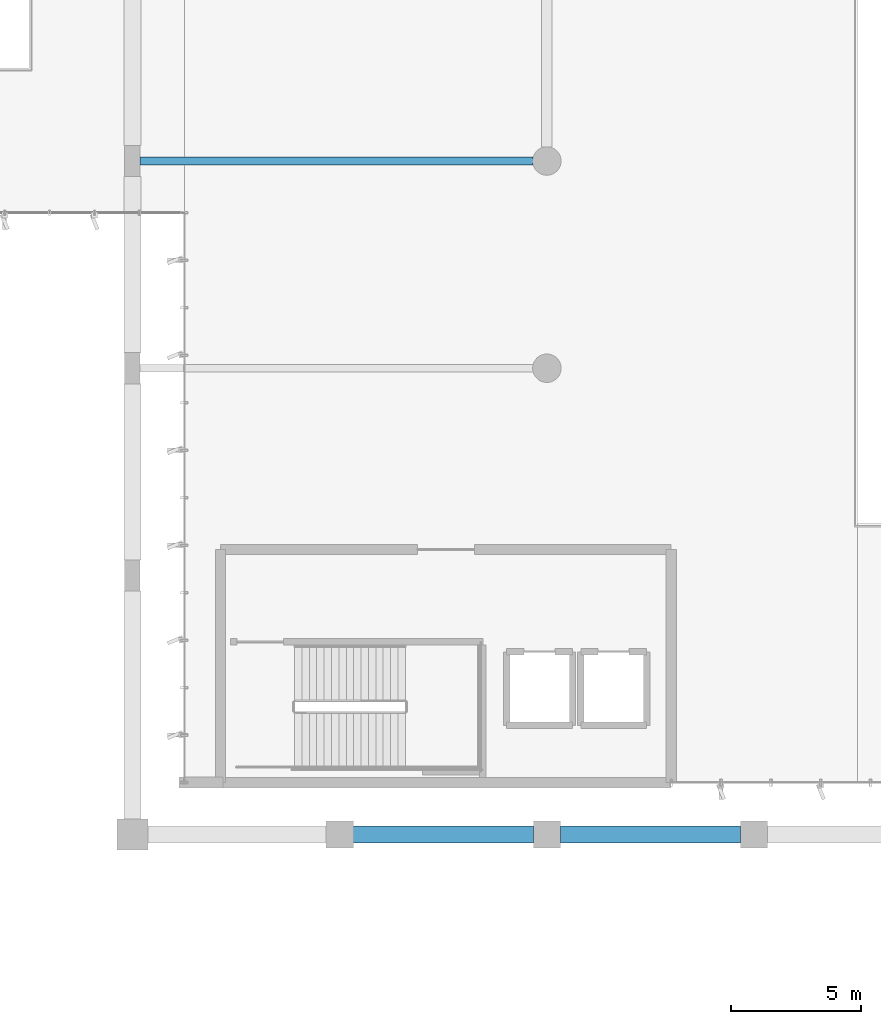
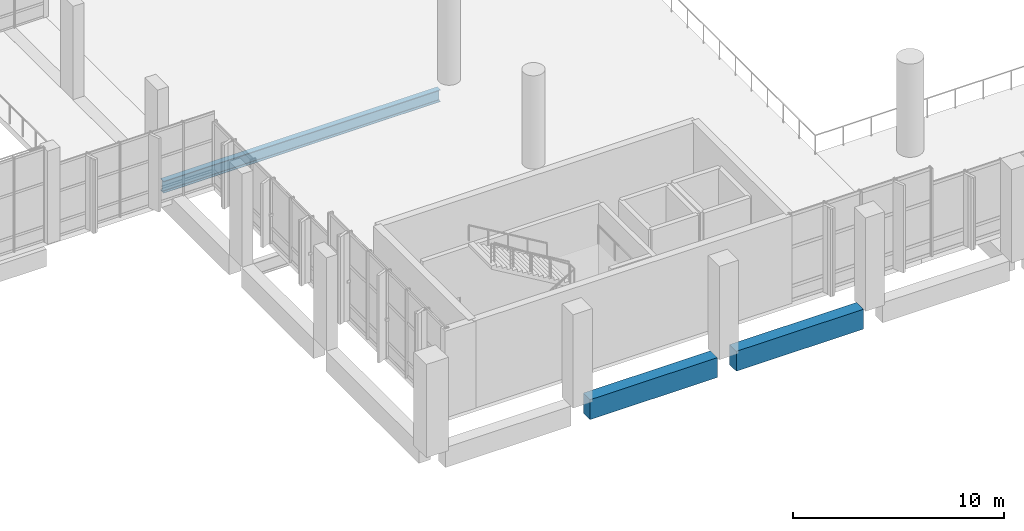
# One storey, part 31 of 176: 3 beams.
"""IFC4 building model written with IfcOpenShell, lengths in metres."""

from ifc_helpers import new_model, si_unit, direction, frame, origin, origin_2d, place, context, subcontext, project, spatial, rectangle, i_section, extrude, material, material_profile, profile_set, type_object, element, save


model = new_model("IFC4")

# Units and contexts
model_context = context("Model", 3, precision=1e-05, world=origin(), true_north=direction((0.0, 1.0)))
body_context = subcontext(model_context, "Body", "Model", "MODEL_VIEW")
ifc_project = project(units=[si_unit("LENGTHUNIT", "METRE"), si_unit("AREAUNIT", "SQUARE_METRE"), si_unit("VOLUMEUNIT", "CUBIC_METRE"), si_unit("PLANEANGLEUNIT", "RADIAN"), si_unit("MASSUNIT", "GRAM", prefix="KILO")], contexts=[model_context])

# Site, building, storey
site_placement = place(None, origin())
site = spatial("IfcSite", under=ifc_project, at=site_placement, CompositionType="ELEMENT")
building_placement = place(site_placement, origin())
building = spatial("IfcBuilding", under=site, at=building_placement, Name="Khorjan Park Terminus", CompositionType="ELEMENT")
storey_placement = place(building_placement, frame((0.0, 0.0, 6.0)))
storey = spatial("IfcBuildingStorey", under=building, at=storey_placement, Name="L01", CompositionType="ELEMENT", Elevation=6.0)

# Beams
ifc_material_1 = material(Name="Steel S355", Category="steel")
ifc_material_profile_1 = material_profile(ifc_material_1, i_section(OverallWidth=0.3, OverallDepth=0.69, WebThickness=0.0145, FlangeThickness=0.027, FilletRadius=0.027, at=origin_2d()), Name="HEA 700")
ifc_profile_set_1 = profile_set([ifc_material_profile_1], Name="Steel S355")
beam_type_1 = type_object("IfcBeamType", Name="BM-HEA700", PredefinedType="BEAM", material=ifc_profile_set_1)
beam_placement = place(storey_placement, frame((48.295, 52.0, -0.705), z_axis=(1.0, 0.0, 0.0), x_axis=(0.0, 1.0, 0.0)))
element("IfcBeam", 1, at=beam_placement, inside=storey, type_object=beam_type_1, Name="Primary floor girder SB-A70 (L01)", PredefinedType="BEAM", context=body_context, shape_type="SweptSolid", body=[
    extrude(i_section(OverallWidth=0.3, OverallDepth=0.69, WebThickness=0.0145, FlangeThickness=0.027, FilletRadius=0.027, at=origin_2d()), origin(), (0.0, 0.0, 1.0), 15.16),
])
ifc_material_2 = material(Name="Concrete C50/60", Category="concrete")
ifc_material_profile_2 = material_profile(ifc_material_2, rectangle(XDim=0.65, YDim=1.15, at=origin_2d()), Name="RC 650x1150")
ifc_profile_set_2 = profile_set([ifc_material_profile_2], Name="Concrete C50/60")
beam_type_2 = type_object("IfcBeamType", Name="SP-RC650x1150", PredefinedType="SPANDREL", material=ifc_profile_set_2)
for number, where, z_axis, x_axis, name in (
    (2, (56.52, 26.0, -0.575), (1.0, 0.0, 0.0), (0.0, 1.0, 0.0), "Concourse lower colonnade ring beam SP-11 (L01-3)"),
    (3, (64.52, 26.0, -0.575), (1.0, 0.0, 0.0), (0.0, 1.0, 0.0), "Concourse lower colonnade ring beam SP-11 (L01-5)"),
):
    element("IfcBeam", number, at=place(storey_placement, frame(where, z_axis=z_axis, x_axis=x_axis)), inside=storey, type_object=beam_type_2, Name=name, PredefinedType="SPANDREL", context=body_context, shape_type="SweptSolid", body=[
        extrude(rectangle(XDim=0.65, YDim=1.15, at=origin_2d()), origin(), (0.0, 0.0, 1.0), 6.96),
    ])

save(model, "model.ifc")
